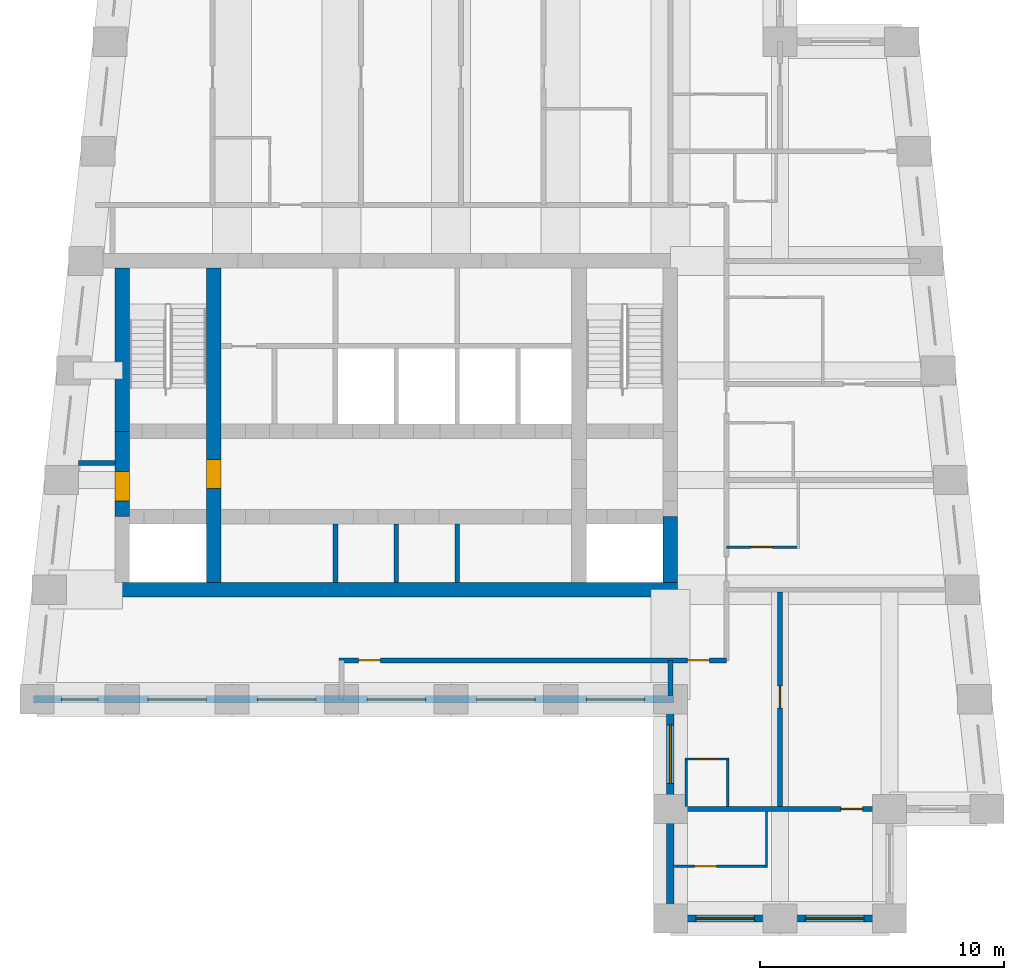
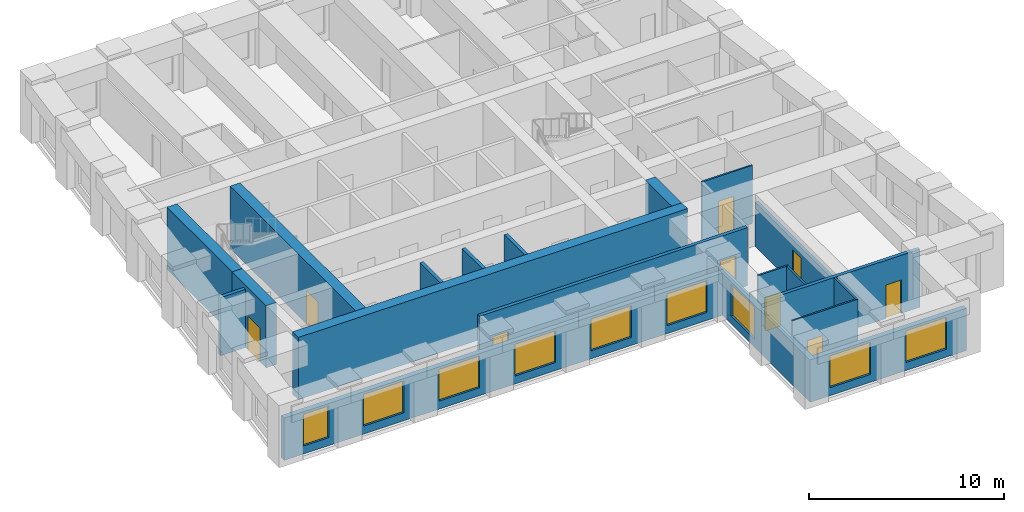
# One storey, part 2 of 7: 22 walls, 9 doors, 9 windows, 18 openings.
"""IFC4 building model written with IfcOpenShell, lengths in metres."""

from ifc_helpers import new_model, si_unit, direction, frame, frame_2d, origin, place, context, subcontext, project, spatial, rectangle, extrude, material, layer, layer_set, type_object, element, fill, save


model = new_model("IFC4")

# Units and contexts
model_context = context("Model", 3, precision=1e-05, world=origin(), true_north=direction((0.0, 1.0)))
body_context = subcontext(model_context, "Body", "Model", "MODEL_VIEW")
ifc_project = project(units=[si_unit("LENGTHUNIT", "METRE"), si_unit("AREAUNIT", "SQUARE_METRE"), si_unit("VOLUMEUNIT", "CUBIC_METRE"), si_unit("PLANEANGLEUNIT", "RADIAN"), si_unit("MASSUNIT", "GRAM", prefix="KILO")], contexts=[model_context])

# Site, building, storey
site_placement = place(None, origin())
site = spatial("IfcSite", under=ifc_project, at=site_placement, CompositionType="ELEMENT")
building_placement = place(site_placement, origin())
building = spatial("IfcBuilding", under=site, at=building_placement, Name="Kilele Tower Hotel", CompositionType="ELEMENT")
storey_placement = place(building_placement, frame((0.0, 0.0, 274.10009765625)))
storey = spatial("IfcBuildingStorey", under=building, at=storey_placement, Name="L70", CompositionType="ELEMENT", Elevation=274.10009765625)

# Wall, opening, door
ifc_material_1 = material(Name="Moisture-resistant board")
ifc_layer_1 = layer(ifc_material_1, 0.10009765625)
ifc_layer_set_1 = layer_set([ifc_layer_1], Name="Moisture-resistant board")
wall_type_1 = type_object("IfcWallType", Name="Bathroom partition 100", PredefinedType="PLUMBINGWALL", material=ifc_layer_set_1)
wall_1_placement = place(storey_placement, frame((38.300048828125, 15.25, 0.0), z_axis=(0.0, 0.0, 1.0), x_axis=(1.0, 0.0, 0.0)))
wall_1 = element("IfcWall", 1, at=wall_1_placement, inside=storey, type_object=wall_type_1, Name="Bathroom partition 100 L70", PredefinedType="PLUMBINGWALL", context=body_context, shape_type="SweptSolid", body=[
    extrude(rectangle(XDim=3.0, YDim=0.10009765625, at=frame_2d((1.5, 0.0))), origin(), (0.0, 0.0, 1.0), 3.64990234375),
])
opening_1_placement = place(wall_1_placement, frame((1.89990234375, 0.0, 0.0), z_axis=(0.0, 0.0, 1.0), x_axis=(-1.0, 0.0, 0.0)))
opening_1 = element("IfcOpeningElement", 2, at=opening_1_placement, cuts=wall_1, Name="Opening D2A", PredefinedType="OPENING", context=body_context, shape_type="SweptSolid", body=[
    extrude(rectangle(XDim=0.89990234375, YDim=2.10009765625, at=frame_2d((0.449951171875, 1.050048828125))), frame((0.0, 0.06005859375, 0.0), z_axis=(0.0, -1.0, 0.0), x_axis=(1.0, 0.0, 0.0)), (0.0, 0.0, 1.0), 0.1201171875),
])
ifc_material_2 = material(Name="Timber door leaf in hardwood frame", Category="wood")
door_type_1 = type_object("IfcDoorType", Name="Bathroom door 900", OperationType="SINGLE_SWING_LEFT", PredefinedType="DOOR", material=ifc_material_2)
door_1_placement = place(opening_1_placement, origin())
door_1 = element("IfcDoor", 3, at=door_1_placement, inside=storey, type_object=door_type_1, Name="Bathroom door 7003B", OperationType="SINGLE_SWING_RIGHT", OverallHeight=2.10009765625, OverallWidth=0.89990234375, PredefinedType="DOOR", context=body_context, shape_type="SweptSolid", body=[
    extrude(rectangle(XDim=0.89990234375, YDim=2.10009765625, at=frame_2d((0.449951171875, 1.050048828125))), frame((0.0, 0.02490234375, 0.0), z_axis=(0.0, -1.0, 0.0), x_axis=(1.0, 0.0, 0.0)), (0.0, 0.0, 1.0), 0.050048828125),
])
fill(opening_1, door_1)

# Walls
wall_2_placement = place(storey_placement, frame((38.35009765625, 4.60009765625, 0.0), z_axis=(0.0, 0.0, 1.0), x_axis=(0.0, 1.0, 0.0)))
element("IfcWall", 4, at=wall_2_placement, inside=storey, type_object=wall_type_1, Name="Bathroom partition 100 L70", PredefinedType="PLUMBINGWALL", context=body_context, shape_type="SweptSolid", body=[
    extrude(rectangle(XDim=2.0, YDim=0.10009765625, at=frame_2d((1.0, 0.0))), origin(), (0.0, 0.0, 1.0), 3.64990234375),
])
wall_3_placement = place(storey_placement, frame((36.64990234375, 4.60009765625, 0.0), z_axis=(0.0, 0.0, 1.0), x_axis=(0.0, 1.0, 0.0)))
element("IfcWall", 5, at=wall_3_placement, inside=storey, type_object=wall_type_1, Name="Bathroom partition 100 L70", PredefinedType="PLUMBINGWALL", context=body_context, shape_type="SweptSolid", body=[
    extrude(rectangle(XDim=2.0, YDim=0.10009765625, at=frame_2d((1.0, 0.0))), origin(), (0.0, 0.0, 1.0), 2.64990234375),
])

# Wall, opening, door
wall_4_placement = place(storey_placement, frame((36.60009765625, 6.550048828125, 0.0), z_axis=(0.0, 0.0, 1.0), x_axis=(1.0, 0.0, 0.0)))
wall_4 = element("IfcWall", 6, at=wall_4_placement, inside=storey, type_object=wall_type_1, Name="Bathroom partition 100 L70", PredefinedType="PLUMBINGWALL", context=body_context, shape_type="SweptSolid", body=[
    extrude(rectangle(XDim=1.7998046875, YDim=0.10009765625, at=frame_2d((0.89990234375, 0.0))), origin(), (0.0, 0.0, 1.0), 3.64990234375),
])
opening_2_placement = place(wall_4_placement, frame((0.449951171875, 0.0, 0.0)))
opening_2 = element("IfcOpeningElement", 7, at=opening_2_placement, cuts=wall_4, Name="Opening D2A", PredefinedType="OPENING", context=body_context, shape_type="SweptSolid", body=[
    extrude(rectangle(XDim=0.89990234375, YDim=2.10009765625, at=frame_2d((0.449951171875, 1.050048828125))), frame((0.0, 0.06005859375, 0.0), z_axis=(0.0, -1.0, 0.0), x_axis=(1.0, 0.0, 0.0)), (0.0, 0.0, 1.0), 0.1201171875),
])
door_2_placement = place(opening_2_placement, origin())
door_2 = element("IfcDoor", 8, at=door_2_placement, inside=storey, type_object=door_type_1, Name="Bathroom door 7011P", OperationType="SINGLE_SWING_LEFT", OverallHeight=2.10009765625, OverallWidth=0.89990234375, PredefinedType="DOOR", context=body_context, shape_type="SweptSolid", body=[
    extrude(rectangle(XDim=0.89990234375, YDim=2.10009765625, at=frame_2d((0.449951171875, 1.050048828125))), frame((0.0, 0.02490234375, 0.0), z_axis=(0.0, -1.0, 0.0), x_axis=(1.0, 0.0, 0.0)), (0.0, 0.0, 1.0), 0.050048828125),
])
fill(opening_2, door_2)

# Wall
wall_5_placement = place(storey_placement, frame((39.949951171875, 4.39990234375, 0.0), z_axis=(0.0, 0.0, 1.0), x_axis=(0.0, -1.0, 0.0)))
element("IfcWall", 9, at=wall_5_placement, inside=storey, type_object=wall_type_1, Name="Bathroom partition 100 L70", PredefinedType="PLUMBINGWALL", context=body_context, shape_type="SweptSolid", body=[
    extrude(rectangle(XDim=2.2998046875, YDim=0.10009765625, at=frame_2d((1.14990234375, 0.0))), origin(), (0.0, 0.0, 1.0), 3.64990234375),
])

# Wall, opening, door
wall_6_placement = place(storey_placement, frame((36.10009765625, 2.14990234375, 0.0), z_axis=(0.0, 0.0, 1.0), x_axis=(1.0, 0.0, 0.0)))
wall_6 = element("IfcWall", 10, at=wall_6_placement, inside=storey, type_object=wall_type_1, Name="Bathroom partition 100 L70", PredefinedType="PLUMBINGWALL", context=body_context, shape_type="SweptSolid", body=[
    extrude(rectangle(XDim=3.89990234375, YDim=0.10009765625, at=frame_2d((1.949951171875, 0.0))), origin(), (0.0, 0.0, 1.0), 3.64990234375),
])
opening_3_placement = place(wall_6_placement, frame((1.7998046875, 0.0, 0.0), z_axis=(0.0, 0.0, 1.0), x_axis=(-1.0, 0.0, 0.0)))
opening_3 = element("IfcOpeningElement", 11, at=opening_3_placement, cuts=wall_6, Name="Opening D2A", PredefinedType="OPENING", context=body_context, shape_type="SweptSolid", body=[
    extrude(rectangle(XDim=0.89990234375, YDim=2.10009765625, at=frame_2d((0.449951171875, 1.050048828125))), frame((0.0, 0.06005859375, 0.0), z_axis=(0.0, -1.0, 0.0), x_axis=(1.0, 0.0, 0.0)), (0.0, 0.0, 1.0), 0.1201171875),
])
door_3_placement = place(opening_3_placement, origin())
door_3 = element("IfcDoor", 12, at=door_3_placement, inside=storey, type_object=door_type_1, Name="Bathroom door 7013B", OperationType="SINGLE_SWING_RIGHT", OverallHeight=2.10009765625, OverallWidth=0.89990234375, PredefinedType="DOOR", context=body_context, shape_type="SweptSolid", body=[
    extrude(rectangle(XDim=0.89990234375, YDim=2.10009765625, at=frame_2d((0.449951171875, 1.050048828125))), frame((0.0, 0.02490234375, 0.0), z_axis=(0.0, -1.0, 0.0), x_axis=(1.0, 0.0, 0.0)), (0.0, 0.0, 1.0), 0.050048828125),
])
fill(opening_3, door_3)

# Wall
ifc_material_3 = material(Name="Concrete C60/75", Category="concrete")
ifc_layer_2 = layer(ifc_material_3, 0.60009765625)
ifc_layer_set_2 = layer_set([ifc_layer_2], Name="Concrete C60/75")
wall_type_2 = type_object("IfcWallType", Name="Core wall 600 C60/75", PredefinedType="SHEAR", material=ifc_layer_set_2)
wall_7_placement = place(storey_placement, frame((13.199951171875, 13.5, 0.0), z_axis=(0.0, 0.0, 1.0), x_axis=(1.0, 0.0, 0.0)))
element("IfcWall", 13, at=wall_7_placement, inside=storey, type_object=wall_type_2, Name="Core wall S L70", PredefinedType="SHEAR", context=body_context, shape_type="SweptSolid", body=[
    extrude(rectangle(XDim=23.10009765625, YDim=0.60009765625, at=frame_2d((11.550048828125, 0.0))), origin(), (0.0, 0.0, 1.0), 3.89990234375),
])

# Wall, opening, door
wall_8_placement = place(storey_placement, frame((17.25, 13.800048828125, 0.0), z_axis=(0.0, 0.0, 1.0), x_axis=(0.0, 1.0, 0.0)))
wall_8 = element("IfcWall", 14, at=wall_8_placement, inside=storey, type_object=wall_type_2, Name="Core wall IW L70", PredefinedType="SHEAR", context=body_context, shape_type="SweptSolid", body=[
    extrude(rectangle(XDim=12.89990234375, YDim=0.60009765625, at=frame_2d((6.449951171875, 0.0))), origin(), (0.0, 0.0, 1.0), 3.89990234375),
])
opening_4_placement = place(wall_8_placement, frame((3.85009765625, 0.0, 0.0)))
opening_4 = element("IfcOpeningElement", 15, at=opening_4_placement, cuts=wall_8, Name="Opening D4", PredefinedType="OPENING", context=body_context, shape_type="SweptSolid", body=[
    extrude(rectangle(XDim=1.199951171875, YDim=2.10009765625, at=frame_2d((0.60009765625, 1.050048828125))), frame((0.0, 0.31005859375, 0.0), z_axis=(0.0, -1.0, 0.0), x_axis=(1.0, 0.0, 0.0)), (0.0, 0.0, 1.0), 0.6201171875),
])
ifc_material_4 = material(Name="Timber door leaf in hardwood frame", Category="wood")
door_type_2 = type_object("IfcDoorType", Name="Firefighting lobby door 1200", OperationType="SINGLE_SWING_LEFT", PredefinedType="DOOR", material=ifc_material_4)
door_4_placement = place(opening_4_placement, origin())
door_4 = element("IfcDoor", 16, at=door_4_placement, inside=storey, type_object=door_type_2, Name="Lobby door L70", OperationType="SINGLE_SWING_LEFT", OverallHeight=2.10009765625, OverallWidth=1.199951171875, PredefinedType="DOOR", context=body_context, shape_type="SweptSolid", body=[
    extrude(rectangle(XDim=1.199951171875, YDim=2.10009765625, at=frame_2d((0.60009765625, 1.050048828125))), frame((0.0, 0.2998046875, 0.0), z_axis=(0.0, -1.0, 0.0), x_axis=(1.0, 0.0, 0.0)), (0.0, 0.0, 1.0), 0.599609375),
])
fill(opening_4, door_4)

# Wall
wall_9_placement = place(storey_placement, frame((13.5, 26.699951171875, 0.0), z_axis=(0.0, 0.0, 1.0), x_axis=(0.0, -1.0, 0.0)))
element("IfcWall", 17, at=wall_9_placement, inside=storey, type_object=wall_type_2, Name="Core wall W1 L70", PredefinedType="SHEAR", context=body_context, shape_type="SweptSolid", body=[
    extrude(rectangle(XDim=6.699951171875, YDim=0.60009765625, at=frame_2d((3.35009765625, 0.0))), origin(), (0.0, 0.0, 1.0), 3.89990234375),
])

# Wall, opening, door
wall_10_placement = place(storey_placement, frame((13.5, 20.0, 0.0), z_axis=(0.0, 0.0, 1.0), x_axis=(0.0, -1.0, 0.0)))
wall_10 = element("IfcWall", 18, at=wall_10_placement, inside=storey, type_object=wall_type_2, Name="Core wall W2 L70", PredefinedType="SHEAR", context=body_context, shape_type="SweptSolid", body=[
    extrude(rectangle(XDim=3.5, YDim=0.60009765625, at=frame_2d((1.75, 0.0))), origin(), (0.0, 0.0, 1.0), 3.89990234375),
])
opening_5_placement = place(wall_10_placement, frame((1.64990234375, 0.0, 0.0)))
opening_5 = element("IfcOpeningElement", 19, at=opening_5_placement, cuts=wall_10, Name="Opening D4", PredefinedType="OPENING", context=body_context, shape_type="SweptSolid", body=[
    extrude(rectangle(XDim=1.199951171875, YDim=2.10009765625, at=frame_2d((0.60009765625, 1.050048828125))), frame((0.0, 0.31005859375, 0.0), z_axis=(0.0, -1.0, 0.0), x_axis=(1.0, 0.0, 0.0)), (0.0, 0.0, 1.0), 0.6201171875),
])
door_5_placement = place(opening_5_placement, origin())
door_5 = element("IfcDoor", 20, at=door_5_placement, inside=storey, type_object=door_type_2, Name="Lobby door L70", OperationType="SINGLE_SWING_RIGHT", OverallHeight=2.10009765625, OverallWidth=1.199951171875, PredefinedType="DOOR", context=body_context, shape_type="SweptSolid", body=[
    extrude(rectangle(XDim=1.199951171875, YDim=2.10009765625, at=frame_2d((0.60009765625, 1.050048828125))), frame((0.0, 0.2998046875, 0.0), z_axis=(0.0, -1.0, 0.0), x_axis=(1.0, 0.0, 0.0)), (0.0, 0.0, 1.0), 0.599609375),
])
fill(opening_5, door_5)

# Wall
wall_11_placement = place(storey_placement, frame((36.0, 13.800048828125, 0.0), z_axis=(0.0, 0.0, 1.0), x_axis=(0.0, 1.0, 0.0)))
element("IfcWall", 21, at=wall_11_placement, inside=storey, type_object=wall_type_2, Name="Core wall E1 L70", PredefinedType="SHEAR", context=body_context, shape_type="SweptSolid", body=[
    extrude(rectangle(XDim=2.699951171875, YDim=0.60009765625, at=frame_2d((1.35009765625, 0.0))), origin(), (0.0, 0.0, 1.0), 3.89990234375),
])

# Wall, openings, doors
ifc_material_5 = material(Name="Blockwork, plastered both sides", Category="masonry")
ifc_layer_3 = layer(ifc_material_5, 0.199951171875)
ifc_layer_set_3 = layer_set([ifc_layer_3], Name="Blockwork, plastered both sides")
wall_type_3 = type_object("IfcWallType", Name="Corridor wall 200", PredefinedType="PARTITIONING", material=ifc_layer_set_3)
wall_12_placement = place(storey_placement, frame((22.39990234375, 10.60009765625, 0.0), z_axis=(0.0, 0.0, 1.0), x_axis=(1.0, 0.0, 0.0)))
wall_12 = element("IfcWall", 22, at=wall_12_placement, inside=storey, type_object=wall_type_3, Name="Corridor wall 200 L70", PredefinedType="PARTITIONING", context=body_context, shape_type="SweptSolid", body=[
    extrude(rectangle(XDim=15.900146484375, YDim=0.199951171875, at=frame_2d((7.9501953125, 0.0))), origin(), (0.0, 0.0, 1.0), 3.64990234375),
])
opening_6_placement = place(wall_12_placement, frame((1.699951171875, 0.0, 0.0), z_axis=(0.0, 0.0, 1.0), x_axis=(-1.0, 0.0, 0.0)))
opening_6 = element("IfcOpeningElement", 23, at=opening_6_placement, cuts=wall_12, Name="Opening D1", PredefinedType="OPENING", context=body_context, shape_type="SweptSolid", body=[
    extrude(rectangle(XDim=0.89990234375, YDim=2.10009765625, at=frame_2d((0.449951171875, 1.050048828125))), frame((0.0, 0.10986328125, 0.0), z_axis=(0.0, -1.0, 0.0), x_axis=(1.0, 0.0, 0.0)), (0.0, 0.0, 1.0), 0.219970703125),
])
opening_7_placement = place(wall_12_placement, frame((15.199951171875, 0.0, 0.0), z_axis=(0.0, 0.0, 1.0), x_axis=(-1.0, 0.0, 0.0)))
opening_7 = element("IfcOpeningElement", 24, at=opening_7_placement, cuts=wall_12, Name="Opening D1", PredefinedType="OPENING", context=body_context, shape_type="SweptSolid", body=[
    extrude(rectangle(XDim=0.89990234375, YDim=2.10009765625, at=frame_2d((0.449951171875, 1.050048828125))), frame((0.0, 0.10986328125, 0.0), z_axis=(0.0, -1.0, 0.0), x_axis=(1.0, 0.0, 0.0)), (0.0, 0.0, 1.0), 0.219970703125),
])
ifc_material_6 = material(Name="Timber door leaf in hardwood frame", Category="wood")
door_type_3 = type_object("IfcDoorType", Name="Guest room entrance door 900", OperationType="SINGLE_SWING_LEFT", PredefinedType="DOOR", material=ifc_material_6)
door_6_placement = place(opening_6_placement, origin())
door_6 = element("IfcDoor", 25, at=door_6_placement, inside=storey, type_object=door_type_3, Name="Room entrance 7002", OperationType="SINGLE_SWING_RIGHT", OverallHeight=2.10009765625, OverallWidth=0.89990234375, PredefinedType="DOOR", context=body_context, shape_type="SweptSolid", body=[
    extrude(rectangle(XDim=0.89990234375, YDim=2.10009765625, at=frame_2d((0.449951171875, 1.050048828125))), frame((0.0, 0.02490234375, 0.0), z_axis=(0.0, -1.0, 0.0), x_axis=(1.0, 0.0, 0.0)), (0.0, 0.0, 1.0), 0.050048828125),
])
fill(opening_6, door_6)
door_7_placement = place(opening_7_placement, origin())
door_7 = element("IfcDoor", 26, at=door_7_placement, inside=storey, type_object=door_type_3, Name="Room entrance 7011", OperationType="SINGLE_SWING_RIGHT", OverallHeight=2.10009765625, OverallWidth=0.89990234375, PredefinedType="DOOR", context=body_context, shape_type="SweptSolid", body=[
    extrude(rectangle(XDim=0.89990234375, YDim=2.10009765625, at=frame_2d((0.449951171875, 1.050048828125))), frame((0.0, 0.02490234375, 0.0), z_axis=(0.0, -1.0, 0.0), x_axis=(1.0, 0.0, 0.0)), (0.0, 0.0, 1.0), 0.050048828125),
])
fill(opening_7, door_7)

# Wall
ifc_material_7 = material(Name="Blockwork, plastered both sides", Category="masonry")
ifc_layer_4 = layer(ifc_material_7, 0.199951171875)
ifc_layer_set_4 = layer_set([ifc_layer_4], Name="Blockwork, plastered both sides")
wall_type_4 = type_object("IfcWallType", Name="Partition wall 200", PredefinedType="PARTITIONING", material=ifc_layer_set_4)
wall_13_placement = place(storey_placement, frame((13.199951171875, 18.699951171875, 0.0), z_axis=(0.0, 0.0, 1.0), x_axis=(-1.0, 0.0, 0.0)))
element("IfcWall", 27, at=wall_13_placement, inside=storey, type_object=wall_type_4, Name="Partition wall 200 L70", PredefinedType="PARTITIONING", context=body_context, shape_type="SweptSolid", body=[
    extrude(rectangle(XDim=1.5, YDim=0.199951171875, at=frame_2d((0.75, 0.0))), origin(), (0.0, 0.0, 1.0), 3.64990234375),
])

# Wall, opening, door
wall_14_placement = place(storey_placement, frame((40.5, 4.60009765625, 0.0), z_axis=(0.0, 0.0, 1.0), x_axis=(0.0, 1.0, 0.0)))
wall_14 = element("IfcWall", 28, at=wall_14_placement, inside=storey, type_object=wall_type_4, Name="Partition wall 200 L70", PredefinedType="PARTITIONING", context=body_context, shape_type="SweptSolid", body=[
    extrude(rectangle(XDim=8.7998046875, YDim=0.199951171875, at=frame_2d((4.39990234375, 0.0))), origin(), (0.0, 0.0, 1.0), 2.75),
])
opening_8_placement = place(wall_14_placement, frame((4.050048828125, 0.0, 0.0)))
opening_8 = element("IfcOpeningElement", 29, at=opening_8_placement, cuts=wall_14, Name="Opening D3", PredefinedType="OPENING", context=body_context, shape_type="SweptSolid", body=[
    extrude(rectangle(XDim=0.89990234375, YDim=2.10009765625, at=frame_2d((0.449951171875, 1.050048828125))), frame((0.0, 0.10986328125, 0.0), z_axis=(0.0, -1.0, 0.0), x_axis=(1.0, 0.0, 0.0)), (0.0, 0.0, 1.0), 0.219970703125),
])
ifc_material_8 = material(Name="Timber door leaf in hardwood frame", Category="wood")
door_type_4 = type_object("IfcDoorType", Name="Suite internal door 900", OperationType="SINGLE_SWING_LEFT", PredefinedType="DOOR", material=ifc_material_8)
door_8_placement = place(opening_8_placement, origin())
door_8 = element("IfcDoor", 30, at=door_8_placement, inside=storey, type_object=door_type_4, Name="Suite door 7012", OperationType="SINGLE_SWING_RIGHT", OverallHeight=2.10009765625, OverallWidth=0.89990234375, PredefinedType="DOOR", context=body_context, shape_type="SweptSolid", body=[
    extrude(rectangle(XDim=0.89990234375, YDim=2.10009765625, at=frame_2d((0.449951171875, 1.050048828125))), frame((0.0, 0.02490234375, 0.0), z_axis=(0.0, -1.0, 0.0), x_axis=(1.0, 0.0, 0.0)), (0.0, 0.0, 1.0), 0.050048828125),
])
fill(opening_8, door_8)

# Wall
ifc_material_9 = material(Name="Blockwork, plastered both sides", Category="masonry")
ifc_layer_5 = layer(ifc_material_9, 0.199951171875)
ifc_layer_set_5 = layer_set([ifc_layer_5], Name="Blockwork, plastered both sides")
wall_type_5 = type_object("IfcWallType", Name="Party wall 200", PredefinedType="PARTITIONING", material=ifc_layer_set_5)
wall_15_placement = place(storey_placement, frame((36.0, 10.60009765625, 0.0), z_axis=(0.0, 0.0, 1.0), x_axis=(0.0, -1.0, 0.0)))
element("IfcWall", 31, at=wall_15_placement, inside=storey, type_object=wall_type_5, Name="Party wall 200 L70", PredefinedType="PARTITIONING", context=body_context, shape_type="SweptSolid", body=[
    extrude(rectangle(XDim=1.4501953125, YDim=0.199951171875, at=frame_2d((0.72509765625, 0.0))), origin(), (0.0, 0.0, 1.0), 2.64990234375),
])

# Wall, opening, door
wall_16_placement = place(storey_placement, frame((35.89990234375, 4.5, 0.0), z_axis=(0.0, 0.0, 1.0), x_axis=(1.0, 0.0, 0.0)))
wall_16 = element("IfcWall", 32, at=wall_16_placement, inside=storey, type_object=wall_type_5, Name="Party wall 200 L70", PredefinedType="PARTITIONING", context=body_context, shape_type="SweptSolid", body=[
    extrude(rectangle(XDim=9.10009765625, YDim=0.199951171875, at=frame_2d((4.550048828125, 0.0))), origin(), (0.0, 0.0, 1.0), 3.64990234375),
])
opening_9_placement = place(wall_16_placement, frame((7.10009765625, 0.0, 0.0)))
opening_9 = element("IfcOpeningElement", 33, at=opening_9_placement, cuts=wall_16, Name="Opening D3", PredefinedType="OPENING", context=body_context, shape_type="SweptSolid", body=[
    extrude(rectangle(XDim=0.89990234375, YDim=2.10009765625, at=frame_2d((0.449951171875, 1.050048828125))), frame((0.0, 0.10986328125, 0.0), z_axis=(0.0, -1.0, 0.0), x_axis=(1.0, 0.0, 0.0)), (0.0, 0.0, 1.0), 0.219970703125),
])
door_9_placement = place(opening_9_placement, origin())
door_9 = element("IfcDoor", 34, at=door_9_placement, inside=storey, type_object=door_type_4, Name="Suite door 7013", OperationType="SINGLE_SWING_RIGHT", OverallHeight=2.10009765625, OverallWidth=0.89990234375, PredefinedType="DOOR", context=body_context, shape_type="SweptSolid", body=[
    extrude(rectangle(XDim=0.89990234375, YDim=2.10009765625, at=frame_2d((0.449951171875, 1.050048828125))), frame((0.0, 0.02490234375, 0.0), z_axis=(0.0, -1.0, 0.0), x_axis=(1.0, 0.0, 0.0)), (0.0, 0.0, 1.0), 0.050048828125),
])
fill(opening_9, door_9)

# Wall, openings, windows
ifc_material_10 = material(Name="Concrete C40/50 precast", Category="concrete")
ifc_layer_6 = layer(ifc_material_10, 0.260009765625, Name="Precast backing", Category="LoadBearing")
ifc_material_11 = material(Name="Reconstituted stone finish", Category="masonry")
ifc_layer_7 = layer(ifc_material_11, 0.0400390625, Name="Face mix", Category="Finish")
ifc_layer_set_6 = layer_set([ifc_layer_6, ifc_layer_7], Name="Precast concrete C40/50, reconstituted stone finish")
wall_type_6 = type_object("IfcWallType", Name="Precast stone facade wall 300", PredefinedType="STANDARD", material=ifc_layer_set_6)
wall_17_placement = place(storey_placement, frame((9.85009765625, 9.0, 0.0), z_axis=(0.0, 0.0, 1.0), x_axis=(1.0, 0.0, 0.0)))
wall_17 = element("IfcWall", 35, at=wall_17_placement, inside=storey, type_object=wall_type_6, Name="Facade wall L70 edge 1", PredefinedType="STANDARD", context=body_context, shape_type="SweptSolid", body=[
    extrude(rectangle(XDim=26.2998046875, YDim=0.300048828125, at=frame_2d((13.14990234375, 0.0))), origin(), (0.0, 0.0, 1.0), 2.64990234375),
])
opening_10_placement = place(wall_17_placement, frame((1.14990234375, 0.0, 0.5)))
opening_10 = element("IfcOpeningElement", 36, at=opening_10_placement, cuts=wall_17, Name="Opening W4", PredefinedType="OPENING", context=body_context, shape_type="SweptSolid", body=[
    extrude(rectangle(XDim=1.5, YDim=2.0, at=frame_2d((0.75, 1.0))), frame((0.0, 0.159912109375, 0.0), z_axis=(0.0, -1.0, 0.0), x_axis=(1.0, 0.0, 0.0)), (0.0, 0.0, 1.0), 0.320068359375),
])
opening_11_placement = place(wall_17_placement, frame((4.699951171875, 0.0, 0.5)))
opening_11 = element("IfcOpeningElement", 37, at=opening_11_placement, cuts=wall_17, Name="Opening W4", PredefinedType="OPENING", context=body_context, shape_type="SweptSolid", body=[
    extrude(rectangle(XDim=2.39990234375, YDim=2.0, at=frame_2d((1.199951171875, 1.0))), frame((0.0, 0.159912109375, 0.0), z_axis=(0.0, -1.0, 0.0), x_axis=(1.0, 0.0, 0.0)), (0.0, 0.0, 1.0), 0.320068359375),
])
opening_12_placement = place(wall_17_placement, frame((9.199951171875, 0.0, 0.5)))
opening_12 = element("IfcOpeningElement", 38, at=opening_12_placement, cuts=wall_17, Name="Opening W4", PredefinedType="OPENING", context=body_context, shape_type="SweptSolid", body=[
    extrude(rectangle(XDim=2.39990234375, YDim=2.0, at=frame_2d((1.199951171875, 1.0))), frame((0.0, 0.159912109375, 0.0), z_axis=(0.0, -1.0, 0.0), x_axis=(1.0, 0.0, 0.0)), (0.0, 0.0, 1.0), 0.320068359375),
])
opening_13_placement = place(wall_17_placement, frame((13.699951171875, 0.0, 0.5)))
opening_13 = element("IfcOpeningElement", 39, at=opening_13_placement, cuts=wall_17, Name="Opening W4", PredefinedType="OPENING", context=body_context, shape_type="SweptSolid", body=[
    extrude(rectangle(XDim=2.39990234375, YDim=2.0, at=frame_2d((1.199951171875, 1.0))), frame((0.0, 0.159912109375, 0.0), z_axis=(0.0, -1.0, 0.0), x_axis=(1.0, 0.0, 0.0)), (0.0, 0.0, 1.0), 0.320068359375),
])
opening_14_placement = place(wall_17_placement, frame((18.199951171875, 0.0, 0.5)))
opening_14 = element("IfcOpeningElement", 40, at=opening_14_placement, cuts=wall_17, Name="Opening W4", PredefinedType="OPENING", context=body_context, shape_type="SweptSolid", body=[
    extrude(rectangle(XDim=2.39990234375, YDim=2.0, at=frame_2d((1.199951171875, 1.0))), frame((0.0, 0.159912109375, 0.0), z_axis=(0.0, -1.0, 0.0), x_axis=(1.0, 0.0, 0.0)), (0.0, 0.0, 1.0), 0.320068359375),
])
opening_15_placement = place(wall_17_placement, frame((22.699951171875, 0.0, 0.5)))
opening_15 = element("IfcOpeningElement", 41, at=opening_15_placement, cuts=wall_17, Name="Opening W4", PredefinedType="OPENING", context=body_context, shape_type="SweptSolid", body=[
    extrude(rectangle(XDim=2.39990234375, YDim=2.0, at=frame_2d((1.199951171875, 1.0))), frame((0.0, 0.159912109375, 0.0), z_axis=(0.0, -1.0, 0.0), x_axis=(1.0, 0.0, 0.0)), (0.0, 0.0, 1.0), 0.320068359375),
])
ifc_material_12 = material(Name="Aluminium frame, clear double glazing", Category="aluminium")
window_type_1 = type_object("IfcWindowType", Name="Window W4 1500 x 2000", PartitioningType="SINGLE_PANEL", PredefinedType="WINDOW", material=ifc_material_12)
window_1_placement = place(opening_10_placement, origin())
window_1 = element("IfcWindow", 42, at=window_1_placement, inside=storey, type_object=window_type_1, Name="Window L70", OverallHeight=2.0, OverallWidth=1.5, PartitioningType="SINGLE_PANEL", PredefinedType="WINDOW", context=body_context, shape_type="SweptSolid", body=[
    extrude(rectangle(XDim=1.5, YDim=2.0, at=frame_2d((0.75, 1.0))), frame((0.0, 0.030029296875, 0.0), z_axis=(0.0, -1.0, 0.0), x_axis=(1.0, 0.0, 0.0)), (0.0, 0.0, 1.0), 0.06005859375),
])
fill(opening_10, window_1)
ifc_material_13 = material(Name="Aluminium frame, clear double glazing", Category="aluminium")
window_type_2 = type_object("IfcWindowType", Name="Window W4 2400 x 2000", PartitioningType="SINGLE_PANEL", PredefinedType="WINDOW", material=ifc_material_13)
window_2_placement = place(opening_11_placement, origin())
window_2 = element("IfcWindow", 43, at=window_2_placement, inside=storey, type_object=window_type_2, Name="Window L70", OverallHeight=2.0, OverallWidth=2.39990234375, PartitioningType="SINGLE_PANEL", PredefinedType="WINDOW", context=body_context, shape_type="SweptSolid", body=[
    extrude(rectangle(XDim=2.39990234375, YDim=2.0, at=frame_2d((1.199951171875, 1.0))), frame((0.0, 0.030029296875, 0.0), z_axis=(0.0, -1.0, 0.0), x_axis=(1.0, 0.0, 0.0)), (0.0, 0.0, 1.0), 0.06005859375),
])
fill(opening_11, window_2)
window_3_placement = place(opening_12_placement, origin())
window_3 = element("IfcWindow", 44, at=window_3_placement, inside=storey, type_object=window_type_2, Name="Window L70", OverallHeight=2.0, OverallWidth=2.39990234375, PartitioningType="SINGLE_PANEL", PredefinedType="WINDOW", context=body_context, shape_type="SweptSolid", body=[
    extrude(rectangle(XDim=2.39990234375, YDim=2.0, at=frame_2d((1.199951171875, 1.0))), frame((0.0, 0.030029296875, 0.0), z_axis=(0.0, -1.0, 0.0), x_axis=(1.0, 0.0, 0.0)), (0.0, 0.0, 1.0), 0.06005859375),
])
fill(opening_12, window_3)
window_4_placement = place(opening_13_placement, origin())
window_4 = element("IfcWindow", 45, at=window_4_placement, inside=storey, type_object=window_type_2, Name="Window L70", OverallHeight=2.0, OverallWidth=2.39990234375, PartitioningType="SINGLE_PANEL", PredefinedType="WINDOW", context=body_context, shape_type="SweptSolid", body=[
    extrude(rectangle(XDim=2.39990234375, YDim=2.0, at=frame_2d((1.199951171875, 1.0))), frame((0.0, 0.030029296875, 0.0), z_axis=(0.0, -1.0, 0.0), x_axis=(1.0, 0.0, 0.0)), (0.0, 0.0, 1.0), 0.06005859375),
])
fill(opening_13, window_4)
window_5_placement = place(opening_14_placement, origin())
window_5 = element("IfcWindow", 46, at=window_5_placement, inside=storey, type_object=window_type_2, Name="Window L70", OverallHeight=2.0, OverallWidth=2.39990234375, PartitioningType="SINGLE_PANEL", PredefinedType="WINDOW", context=body_context, shape_type="SweptSolid", body=[
    extrude(rectangle(XDim=2.39990234375, YDim=2.0, at=frame_2d((1.199951171875, 1.0))), frame((0.0, 0.030029296875, 0.0), z_axis=(0.0, -1.0, 0.0), x_axis=(1.0, 0.0, 0.0)), (0.0, 0.0, 1.0), 0.06005859375),
])
fill(opening_14, window_5)
window_6_placement = place(opening_15_placement, origin())
window_6 = element("IfcWindow", 47, at=window_6_placement, inside=storey, type_object=window_type_2, Name="Window L70", OverallHeight=2.0, OverallWidth=2.39990234375, PartitioningType="SINGLE_PANEL", PredefinedType="WINDOW", context=body_context, shape_type="SweptSolid", body=[
    extrude(rectangle(XDim=2.39990234375, YDim=2.0, at=frame_2d((1.199951171875, 1.0))), frame((0.0, 0.030029296875, 0.0), z_axis=(0.0, -1.0, 0.0), x_axis=(1.0, 0.0, 0.0)), (0.0, 0.0, 1.0), 0.06005859375),
])
fill(opening_15, window_6)

# Wall, opening, window
wall_18_placement = place(storey_placement, frame((36.0, 9.14990234375, 0.0), z_axis=(0.0, 0.0, 1.0), x_axis=(0.0, -1.0, 0.0)))
wall_18 = element("IfcWall", 48, at=wall_18_placement, inside=storey, type_object=wall_type_6, Name="Facade wall L70 edge 2", PredefinedType="STANDARD", context=body_context, shape_type="SweptSolid", body=[
    extrude(rectangle(XDim=9.2998046875, YDim=0.300048828125, at=frame_2d((4.64990234375, 0.0))), origin(), (0.0, 0.0, 1.0), 2.64990234375),
])
opening_16_placement = place(wall_18_placement, frame((1.199951171875, 0.0, 0.5)))
opening_16 = element("IfcOpeningElement", 49, at=opening_16_placement, cuts=wall_18, Name="Opening W4", PredefinedType="OPENING", context=body_context, shape_type="SweptSolid", body=[
    extrude(rectangle(XDim=2.39990234375, YDim=2.0, at=frame_2d((1.199951171875, 1.0))), frame((0.0, 0.159912109375, 0.0), z_axis=(0.0, -1.0, 0.0), x_axis=(1.0, 0.0, 0.0)), (0.0, 0.0, 1.0), 0.320068359375),
])
window_7_placement = place(opening_16_placement, origin())
window_7 = element("IfcWindow", 50, at=window_7_placement, inside=storey, type_object=window_type_2, Name="Window L70", OverallHeight=2.0, OverallWidth=2.39990234375, PartitioningType="SINGLE_PANEL", PredefinedType="WINDOW", context=body_context, shape_type="SweptSolid", body=[
    extrude(rectangle(XDim=2.39990234375, YDim=2.0, at=frame_2d((1.199951171875, 1.0))), frame((0.0, 0.030029296875, 0.0), z_axis=(0.0, -1.0, 0.0), x_axis=(1.0, 0.0, 0.0)), (0.0, 0.0, 1.0), 0.06005859375),
])
fill(opening_16, window_7)

# Wall, openings, windows
wall_19_placement = place(storey_placement, frame((35.85009765625, 0.0, 0.0), z_axis=(0.0, 0.0, 1.0), x_axis=(1.0, 0.0, 0.0)))
wall_19 = element("IfcWall", 51, at=wall_19_placement, inside=storey, type_object=wall_type_6, Name="Facade wall L70 edge 3", PredefinedType="STANDARD", context=body_context, shape_type="SweptSolid", body=[
    extrude(rectangle(XDim=9.2998046875, YDim=0.300048828125, at=frame_2d((4.64990234375, 0.0))), origin(), (0.0, 0.0, 1.0), 2.64990234375),
])
opening_17_placement = place(wall_19_placement, frame((1.199951171875, 0.0, 0.5)))
opening_17 = element("IfcOpeningElement", 52, at=opening_17_placement, cuts=wall_19, Name="Opening W4", PredefinedType="OPENING", context=body_context, shape_type="SweptSolid", body=[
    extrude(rectangle(XDim=2.39990234375, YDim=2.0, at=frame_2d((1.199951171875, 1.0))), frame((0.0, 0.159912109375, 0.0), z_axis=(0.0, -1.0, 0.0), x_axis=(1.0, 0.0, 0.0)), (0.0, 0.0, 1.0), 0.320068359375),
])
opening_18_placement = place(wall_19_placement, frame((5.699951171875, 0.0, 0.5)))
opening_18 = element("IfcOpeningElement", 53, at=opening_18_placement, cuts=wall_19, Name="Opening W4", PredefinedType="OPENING", context=body_context, shape_type="SweptSolid", body=[
    extrude(rectangle(XDim=2.39990234375, YDim=2.0, at=frame_2d((1.199951171875, 1.0))), frame((0.0, 0.159912109375, 0.0), z_axis=(0.0, -1.0, 0.0), x_axis=(1.0, 0.0, 0.0)), (0.0, 0.0, 1.0), 0.320068359375),
])
window_8_placement = place(opening_17_placement, origin())
window_8 = element("IfcWindow", 54, at=window_8_placement, inside=storey, type_object=window_type_2, Name="Window L70", OverallHeight=2.0, OverallWidth=2.39990234375, PartitioningType="SINGLE_PANEL", PredefinedType="WINDOW", context=body_context, shape_type="SweptSolid", body=[
    extrude(rectangle(XDim=2.39990234375, YDim=2.0, at=frame_2d((1.199951171875, 1.0))), frame((0.0, 0.030029296875, 0.0), z_axis=(0.0, -1.0, 0.0), x_axis=(1.0, 0.0, 0.0)), (0.0, 0.0, 1.0), 0.06005859375),
])
fill(opening_17, window_8)
window_9_placement = place(opening_18_placement, origin())
window_9 = element("IfcWindow", 55, at=window_9_placement, inside=storey, type_object=window_type_2, Name="Window L70", OverallHeight=2.0, OverallWidth=2.39990234375, PartitioningType="SINGLE_PANEL", PredefinedType="WINDOW", context=body_context, shape_type="SweptSolid", body=[
    extrude(rectangle(XDim=2.39990234375, YDim=2.0, at=frame_2d((1.199951171875, 1.0))), frame((0.0, 0.030029296875, 0.0), z_axis=(0.0, -1.0, 0.0), x_axis=(1.0, 0.0, 0.0)), (0.0, 0.0, 1.0), 0.06005859375),
])
fill(opening_18, window_9)

# Walls
ifc_material_14 = material(Name="Blockwork, fire-rated", Category="masonry")
ifc_layer_8 = layer(ifc_material_14, 0.199951171875)
ifc_layer_set_7 = layer_set([ifc_layer_8], Name="Blockwork, fire-rated")
wall_type_7 = type_object("IfcWallType", Name="Shaft wall 200", PredefinedType="PARTITIONING", material=ifc_layer_set_7)
for number, where, z_axis, x_axis, name in (
    (56, (22.25, 13.800048828125, 0.0), (0.0, 0.0, 1.0), (0.0, 1.0, 0.0), "Shaft wall 200 L70"),
    (57, (24.75, 13.800048828125, 0.0), (0.0, 0.0, 1.0), (0.0, 1.0, 0.0), "Shaft wall 200 L70"),
    (58, (27.25, 13.800048828125, 0.0), (0.0, 0.0, 1.0), (0.0, 1.0, 0.0), "Shaft wall 200 L70"),
):
    element("IfcWall", number, at=place(storey_placement, frame(where, z_axis=z_axis, x_axis=x_axis)), inside=storey, type_object=wall_type_7, Name=name, PredefinedType="PARTITIONING", context=body_context, shape_type="SweptSolid", body=[
        extrude(rectangle(XDim=2.39990234375, YDim=0.199951171875, at=frame_2d((1.199951171875, 0.0))), origin(), (0.0, 0.0, 1.0), 3.64990234375),
    ])

save(model, "model.ifc")
